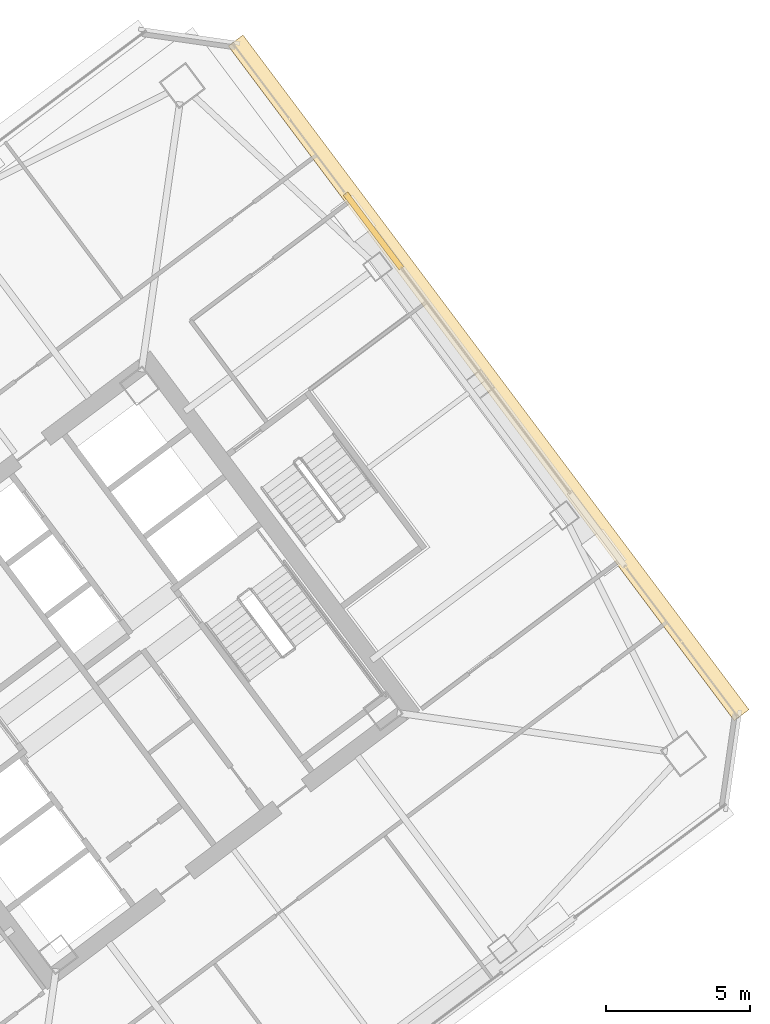
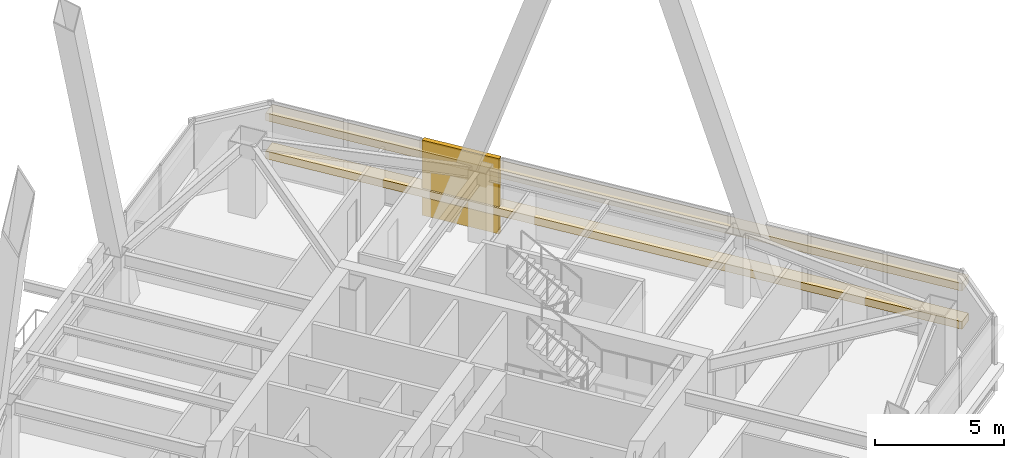
# One storey, part 55 of 55: 3 coverings.
"""IFC4 building model written with IfcOpenShell, lengths in metres."""

from ifc_helpers import new_model, si_unit, direction, frame, origin, origin_2d, place, context, subcontext, project, spatial, rectangle, extrude, material, layer, layer_set, type_object, element, save


model = new_model("IFC4")

# Units and contexts
model_context = context("Model", 3, precision=1e-05, world=origin(), true_north=direction((0.0, 1.0)))
body_context = subcontext(model_context, "Body", "Model", "MODEL_VIEW")
ifc_project = project(units=[si_unit("LENGTHUNIT", "METRE"), si_unit("AREAUNIT", "SQUARE_METRE"), si_unit("VOLUMEUNIT", "CUBIC_METRE"), si_unit("PLANEANGLEUNIT", "RADIAN"), si_unit("MASSUNIT", "GRAM", prefix="KILO")], contexts=[model_context])

# Site, building, storey
site_placement = place(None, origin())
site = spatial("IfcSite", under=ifc_project, at=site_placement, CompositionType="ELEMENT")
building_placement = place(site_placement, origin())
building = spatial("IfcBuilding", under=site, at=building_placement, Name="Tashvorn Skyway Center", CompositionType="ELEMENT")
storey_placement = place(building_placement, frame((0.0, 0.0, 178.300048828125)))
storey = spatial("IfcBuildingStorey", under=building, at=storey_placement, Name="L48", CompositionType="ELEMENT", Elevation=178.300048828125)

# Coverings
ifc_material_1 = material(Name="Precast concrete C40/50", Category="concrete")
ifc_layer_1 = layer(ifc_material_1, 0.199951171875)
ifc_layer_set_1 = layer_set([ifc_layer_1], Name="Precast concrete C40/50")
covering_type_1 = type_object("IfcCoveringType", Name="COV-BRACE-CLAD", PredefinedType="CLADDING", material=ifc_layer_set_1)
covering_placement = place(storey_placement, frame((123.535888671875, 47.251953125, 0.0), z_axis=(0.0, 0.0, 1.0), x_axis=(0.600000004945, -0.799999996291, 0.0)))
element("IfcCovering", 1, at=covering_placement, inside=storey, type_object=covering_type_1, Name="Tower 2 L48 East Unitised Curtain Wall Mega-Brace Cladding Band 1", PredefinedType="CLADDING", context=body_context, shape_type="SweptSolid", body=[
    extrude(rectangle(XDim=3.239990234375, YDim=0.199951171875, at=origin_2d()), origin(), (0.0, 0.0, 1.0), 3.550048828125),
])
ifc_material_2 = material(Name="Perforated ceramic-coated bronze aluminium solar screen", Category="aluminium")
ifc_layer_2 = layer(ifc_material_2, 0.85009765625)
ifc_layer_set_2 = layer_set([ifc_layer_2], Name="Perforated ceramic-coated bronze aluminium solar screen")
covering_type_2 = type_object("IfcCoveringType", Name="COV-SOLAR-BAND", PredefinedType="CLADDING", material=ifc_layer_set_2)
for number, where, z_axis, x_axis, name in (
    (2, (127.535888671875, 42.152099609375, 0.919921875), (0.0, 0.0, 1.0), (0.600000004945, -0.799999996291, 0.0), "L48 Perforated Ceramic-Metal Solar Screen Louvre Band East 1"),
    (3, (127.535888671875, 42.152099609375, 2.7197265625), (0.0, 0.0, 1.0), (0.600000004945, -0.799999996291, 0.0), "L48 Perforated Ceramic-Metal Solar Screen Louvre Band East 2"),
):
    element("IfcCovering", number, at=place(storey_placement, frame(where, z_axis=z_axis, x_axis=x_axis)), inside=storey, type_object=covering_type_2, Name=name, PredefinedType="CLADDING", context=body_context, shape_type="SweptSolid", body=[
        extrude(rectangle(XDim=29.280029296875, YDim=0.639892578125, at=origin_2d()), origin(), (0.0, 0.0, 1.0), 0.360107421875),
    ])

save(model, "model.ifc")
